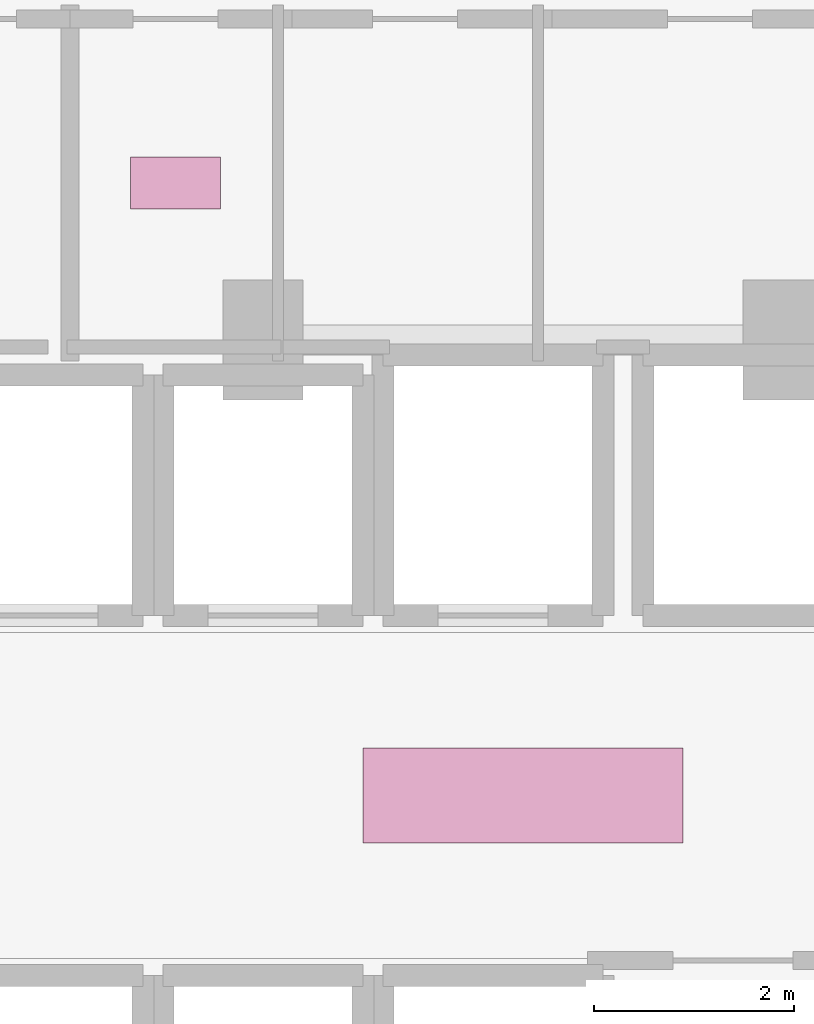
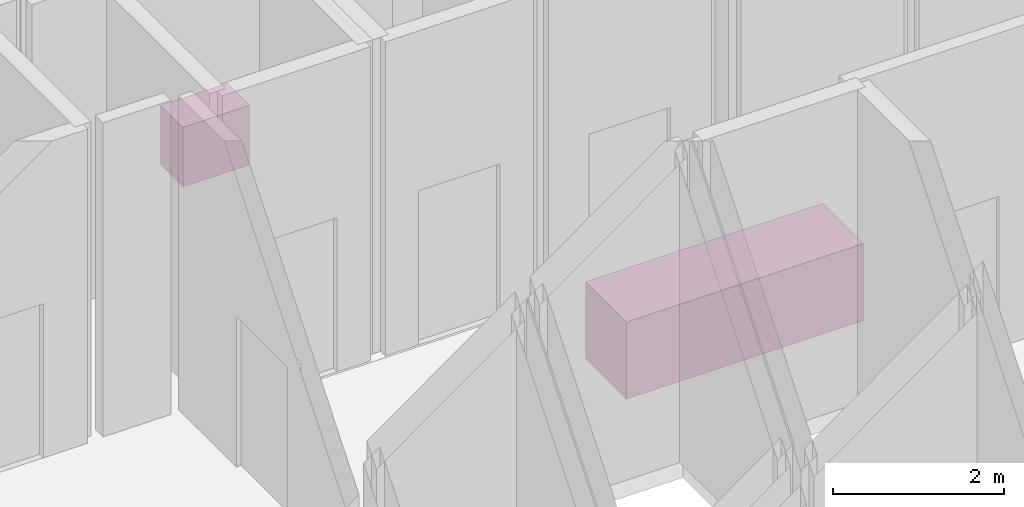
# One storey, part 26 of 26: 2 furnishings.
"""IFC4 building model written with IfcOpenShell, lengths in metres."""

from ifc_helpers import new_model, si_unit, direction, frame, origin, origin_2d, place, context, subcontext, project, spatial, rectangle, extrude, material, type_object, element, save


model = new_model("IFC4")

# Units and contexts
model_context = context("Model", 3, precision=1e-05, world=origin(), true_north=direction((0.0, 1.0)))
body_context = subcontext(model_context, "Body", "Model", "MODEL_VIEW")
ifc_project = project(units=[si_unit("LENGTHUNIT", "METRE"), si_unit("AREAUNIT", "SQUARE_METRE"), si_unit("VOLUMEUNIT", "CUBIC_METRE"), si_unit("PLANEANGLEUNIT", "RADIAN"), si_unit("MASSUNIT", "GRAM", prefix="KILO")], contexts=[model_context])

# Site, building, storey
site_placement = place(None, origin())
site = spatial("IfcSite", under=ifc_project, at=site_placement, CompositionType="ELEMENT")
building_placement = place(site_placement, origin())
building = spatial("IfcBuilding", under=site, at=building_placement, Name="Vorneva Point Tower", CompositionType="ELEMENT")
storey_placement = place(building_placement, frame((0.0, 0.0, 14.39990234375)))
storey = spatial("IfcBuildingStorey", under=building, at=storey_placement, Name="L03", CompositionType="ELEMENT", Elevation=14.39990234375)

# Furnishings
ifc_material_1 = material(Name="Engineered oak fire-rated door leaf", Category="wood")
furniture_type_1 = type_object("IfcFurnitureType", Name="FUR-DSK-3200", AssemblyPlace="NOTDEFINED", PredefinedType="NOTDEFINED", material=ifc_material_1)
furnishing_1_placement = place(storey_placement, frame((38.0, 26.0, -0.0048828125), z_axis=(0.0, 0.0, 1.0), x_axis=(1.0, 0.0, 0.0)))
element("IfcFurnishingElement", 1, at=furnishing_1_placement, inside=storey, type_object=furniture_type_1, Name="L03 Reception and Concierge Desk", ObjectType="L03 Reception and Concierge Desk", context=body_context, shape_type="SweptSolid", body=[
    extrude(rectangle(XDim=3.199951171875, YDim=0.949951171875, at=origin_2d()), origin(), (0.0, 0.0, 1.0), 1.10009765625),
])
ifc_material_2 = material(Name="Vitreous china and granite top", Category="masonry")
furniture_type_2 = type_object("IfcFurnitureType", Name="FUR-VAN-900", AssemblyPlace="NOTDEFINED", PredefinedType="NOTDEFINED", material=ifc_material_2)
furnishing_2_placement = place(storey_placement, frame((34.52490234375, 32.1201171875, -0.0048828125), z_axis=(0.0, 0.0, 1.0), x_axis=(1.0, 0.0, 0.0)))
element("IfcFurnishingElement", 2, at=furnishing_2_placement, inside=storey, type_object=furniture_type_2, Name="L03 Accessible WC Vanity Unit", ObjectType="L03 Accessible WC Vanity Unit", context=body_context, shape_type="SweptSolid", body=[
    extrude(rectangle(XDim=0.89990234375, YDim=0.52001953125, at=origin_2d()), origin(), (0.0, 0.0, 1.0), 0.85009765625),
])

save(model, "model.ifc")
